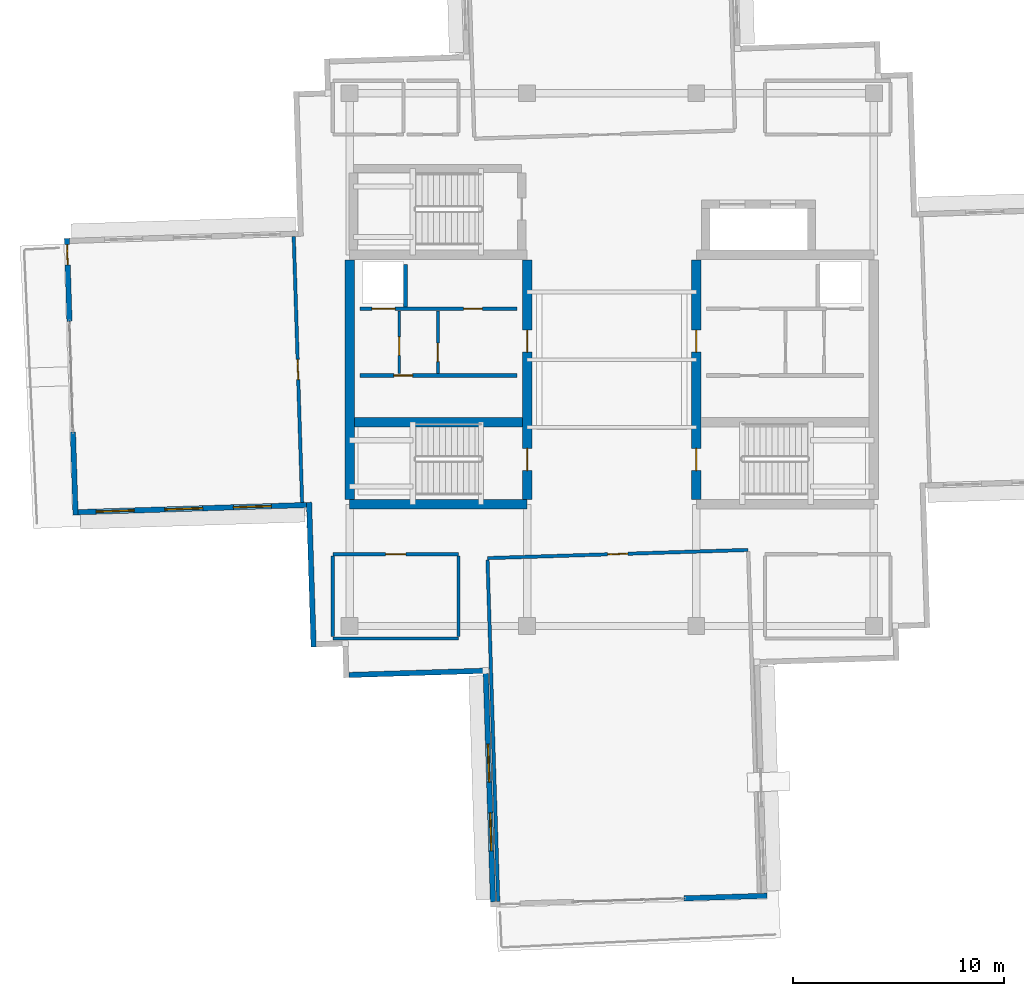
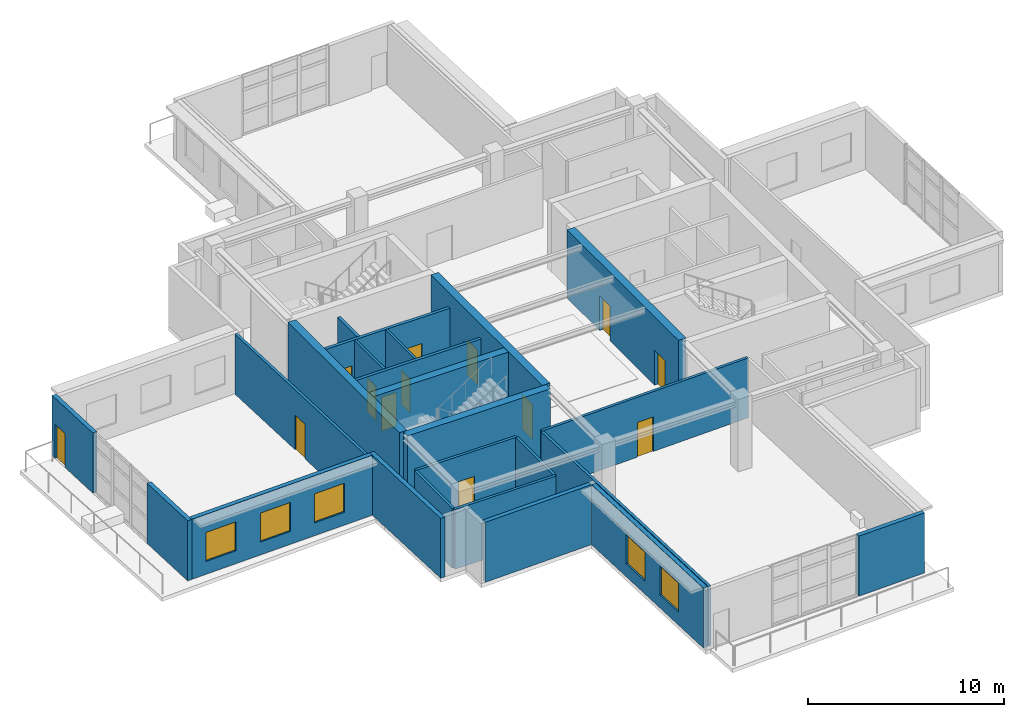
# One storey, part 10 of 18: 24 walls, 13 doors, 5 windows, 18 openings.
"""IFC4 building model written with IfcOpenShell, lengths in metres."""

from ifc_helpers import new_model, si_unit, direction, frame, frame_2d, origin, place, context, subcontext, project, spatial, rectangle, extrude, material, layer, layer_set, type_object, element, fill, save


model = new_model("IFC4")

# Units and contexts
model_context = context("Model", 3, precision=1e-05, world=origin(), true_north=direction((0.0, 1.0)))
body_context = subcontext(model_context, "Body", "Model", "MODEL_VIEW")
ifc_project = project(units=[si_unit("LENGTHUNIT", "METRE"), si_unit("AREAUNIT", "SQUARE_METRE"), si_unit("VOLUMEUNIT", "CUBIC_METRE"), si_unit("PLANEANGLEUNIT", "RADIAN"), si_unit("MASSUNIT", "GRAM", prefix="KILO")], contexts=[model_context])

# Site, building, storey
site_placement = place(None, origin())
site = spatial("IfcSite", under=ifc_project, at=site_placement, CompositionType="ELEMENT")
building_placement = place(site_placement, origin())
building = spatial("IfcBuilding", under=site, at=building_placement, Name="Qingluan Cross Belvedere", CompositionType="ELEMENT")
storey_placement = place(building_placement, frame((0.0, 0.0, 299.39990234375)))
storey = spatial("IfcBuildingStorey", under=building, at=storey_placement, Name="L74", CompositionType="ELEMENT", Elevation=299.39990234375)

# Walls
ifc_material_1 = material(Name="Concrete C50", Category="concrete")
ifc_layer_1 = layer(ifc_material_1, 0.449951171875, Name="CoreShearWall_450")
ifc_layer_set_1 = layer_set([ifc_layer_1], Name="Concrete C50")
wall_type_1 = type_object("IfcWallType", Name="CoreShearWall_450", PredefinedType="SHEAR", material=ifc_layer_set_1)
wall_1_placement = place(storey_placement, frame((-12.39990234375, -6.85009765625, 0.0), z_axis=(0.0, 0.0, 1.0), x_axis=(1.0, 0.0, 0.0)))
element("IfcWall", 1, at=wall_1_placement, inside=storey, type_object=wall_type_1, Name="Split core W shear wall L74-S", PredefinedType="SHEAR", context=body_context, shape_type="SweptSolid", body=[
    extrude(rectangle(XDim=8.39990234375, YDim=0.449951171875, at=frame_2d((4.199951171875, 0.0))), origin(), (0.0, 0.0, 1.0), 4.25),
])
wall_2_placement = place(storey_placement, frame((-12.39990234375, -6.6201171875, 0.0), z_axis=(0.0, 0.0, 1.0), x_axis=(0.0, 1.0, 0.0)))
element("IfcWall", 2, at=wall_2_placement, inside=storey, type_object=wall_type_1, Name="Split core W shear wall L74-W", PredefinedType="SHEAR", context=body_context, shape_type="SweptSolid", body=[
    extrude(rectangle(XDim=11.340087890625, YDim=0.449951171875, at=frame_2d((5.669921875, 0.0))), origin(), (0.0, 0.0, 1.0), 4.25),
])

# Wall, openings, doors
wall_3_placement = place(storey_placement, frame((-4.0, -6.6201171875, 0.0), z_axis=(0.0, 0.0, 1.0), x_axis=(0.0, 1.0, 0.0)))
wall_3 = element("IfcWall", 3, at=wall_3_placement, inside=storey, type_object=wall_type_1, Name="Split core W shear wall L74-E", PredefinedType="SHEAR", context=body_context, shape_type="SweptSolid", body=[
    extrude(rectangle(XDim=11.340087890625, YDim=0.449951171875, at=frame_2d((5.669921875, 0.0))), origin(), (0.0, 0.0, 1.0), 4.25),
])
opening_1_placement = place(wall_3_placement, frame((1.3701171875, 0.0, 0.0)))
opening_1 = element("IfcOpeningElement", 4, at=opening_1_placement, cuts=wall_3, Name="Opening FD-B11", PredefinedType="OPENING", context=body_context, shape_type="SweptSolid", body=[
    extrude(rectangle(XDim=1.050048828125, YDim=2.14990234375, at=frame_2d((0.52490234375, 1.074951171875))), frame((0.0, 0.23486328125, 0.0), z_axis=(0.0, -1.0, 0.0), x_axis=(1.0, 0.0, 0.0)), (0.0, 0.0, 1.0), 0.469970703125),
])
opening_2_placement = place(wall_3_placement, frame((6.969970703125, 0.0, 0.0)))
opening_2 = element("IfcOpeningElement", 5, at=opening_2_placement, cuts=wall_3, Name="Opening FD-B11", PredefinedType="OPENING", context=body_context, shape_type="SweptSolid", body=[
    extrude(rectangle(XDim=1.050048828125, YDim=2.14990234375, at=frame_2d((0.52490234375, 1.074951171875))), frame((0.0, 0.23486328125, 0.0), z_axis=(0.0, -1.0, 0.0), x_axis=(1.0, 0.0, 0.0)), (0.0, 0.0, 1.0), 0.469970703125),
])
ifc_material_2 = material(Name="Steel Class B smoke-seal fire door", Category="steel")
door_type_1 = type_object("IfcDoorType", Name="StairLobbyFireDoor_FDB", OperationType="NOTDEFINED", PredefinedType="DOOR", material=ifc_material_2)
door_1_placement = place(opening_1_placement, origin())
door_1 = element("IfcDoor", 6, at=door_1_placement, inside=storey, type_object=door_type_1, Name="Smoke-proof stair ST1 fire door L74", OperationType="SINGLE_SWING_RIGHT", OverallHeight=2.14990234375, OverallWidth=1.050048828125, PredefinedType="DOOR", context=body_context, shape_type="SweptSolid", body=[
    extrude(rectangle(XDim=1.050048828125, YDim=2.14990234375, at=frame_2d((0.52490234375, 1.074951171875))), frame((0.0, 0.02490234375, 0.0), z_axis=(0.0, -1.0, 0.0), x_axis=(1.0, 0.0, 0.0)), (0.0, 0.0, 1.0), 0.050048828125),
])
fill(opening_1, door_1)
door_2_placement = place(opening_2_placement, origin())
door_2 = element("IfcDoor", 7, at=door_2_placement, inside=storey, type_object=door_type_1, Name="Firefighting lobby West fire door L74", OperationType="SINGLE_SWING_RIGHT", OverallHeight=2.14990234375, OverallWidth=1.050048828125, PredefinedType="DOOR", context=body_context, shape_type="SweptSolid", body=[
    extrude(rectangle(XDim=1.050048828125, YDim=2.14990234375, at=frame_2d((0.52490234375, 1.074951171875))), frame((0.0, 0.02490234375, 0.0), z_axis=(0.0, -1.0, 0.0), x_axis=(1.0, 0.0, 0.0)), (0.0, 0.0, 1.0), 0.050048828125),
])
fill(opening_2, door_2)

# Wall
wall_4_placement = place(storey_placement, frame((-12.169921875, -2.9599609375, 0.0), z_axis=(0.0, 0.0, 1.0), x_axis=(1.0, 0.0, 0.0)))
element("IfcWall", 8, at=wall_4_placement, inside=storey, type_object=wall_type_1, Name="Split core W shear wall L74-M", PredefinedType="SHEAR", context=body_context, shape_type="SweptSolid", body=[
    extrude(rectangle(XDim=7.93994140625, YDim=0.449951171875, at=frame_2d((3.969970703125, 0.0))), origin(), (0.0, 0.0, 1.0), 4.25),
])

# Wall, openings, doors
wall_5_placement = place(storey_placement, frame((4.0, -6.6201171875, 0.0), z_axis=(0.0, 0.0, 1.0), x_axis=(0.0, 1.0, 0.0)))
wall_5 = element("IfcWall", 9, at=wall_5_placement, inside=storey, type_object=wall_type_1, Name="Split core E shear wall L74-W", PredefinedType="SHEAR", context=body_context, shape_type="SweptSolid", body=[
    extrude(rectangle(XDim=11.340087890625, YDim=0.449951171875, at=frame_2d((5.669921875, 0.0))), origin(), (0.0, 0.0, 1.0), 4.25),
])
opening_3_placement = place(wall_5_placement, frame((1.3701171875, 0.0, 0.0)))
opening_3 = element("IfcOpeningElement", 10, at=opening_3_placement, cuts=wall_5, Name="Opening FD-B11", PredefinedType="OPENING", context=body_context, shape_type="SweptSolid", body=[
    extrude(rectangle(XDim=1.050048828125, YDim=2.14990234375, at=frame_2d((0.52490234375, 1.074951171875))), frame((0.0, 0.23486328125, 0.0), z_axis=(0.0, -1.0, 0.0), x_axis=(1.0, 0.0, 0.0)), (0.0, 0.0, 1.0), 0.469970703125),
])
opening_4_placement = place(wall_5_placement, frame((6.969970703125, 0.0, 0.0)))
opening_4 = element("IfcOpeningElement", 11, at=opening_4_placement, cuts=wall_5, Name="Opening FD-B11", PredefinedType="OPENING", context=body_context, shape_type="SweptSolid", body=[
    extrude(rectangle(XDim=1.050048828125, YDim=2.14990234375, at=frame_2d((0.52490234375, 1.074951171875))), frame((0.0, 0.23486328125, 0.0), z_axis=(0.0, -1.0, 0.0), x_axis=(1.0, 0.0, 0.0)), (0.0, 0.0, 1.0), 0.469970703125),
])
door_3_placement = place(opening_3_placement, origin())
door_3 = element("IfcDoor", 12, at=door_3_placement, inside=storey, type_object=door_type_1, Name="Smoke-proof stair ST2 fire door L74", OperationType="SINGLE_SWING_LEFT", OverallHeight=2.14990234375, OverallWidth=1.050048828125, PredefinedType="DOOR", context=body_context, shape_type="SweptSolid", body=[
    extrude(rectangle(XDim=1.050048828125, YDim=2.14990234375, at=frame_2d((0.52490234375, 1.074951171875))), frame((0.0, 0.02490234375, 0.0), z_axis=(0.0, -1.0, 0.0), x_axis=(1.0, 0.0, 0.0)), (0.0, 0.0, 1.0), 0.050048828125),
])
fill(opening_3, door_3)
door_4_placement = place(opening_4_placement, origin())
door_4 = element("IfcDoor", 13, at=door_4_placement, inside=storey, type_object=door_type_1, Name="Firefighting lobby East fire door L74", OperationType="SINGLE_SWING_LEFT", OverallHeight=2.14990234375, OverallWidth=1.050048828125, PredefinedType="DOOR", context=body_context, shape_type="SweptSolid", body=[
    extrude(rectangle(XDim=1.050048828125, YDim=2.14990234375, at=frame_2d((0.52490234375, 1.074951171875))), frame((0.0, 0.02490234375, 0.0), z_axis=(0.0, -1.0, 0.0), x_axis=(1.0, 0.0, 0.0)), (0.0, 0.0, 1.0), 0.050048828125),
])
fill(opening_4, door_4)

# Wall, opening, door
ifc_material_3 = material(Name="Gypsum plasterboard on steel stud acoustic partition", Category="steel")
ifc_layer_2 = layer(ifc_material_3, 0.159912109375, Name="CorridorPartition_160")
ifc_layer_set_2 = layer_set([ifc_layer_2], Name="Gypsum plasterboard on steel stud acoustic partition")
wall_type_2 = type_object("IfcWallType", Name="CorridorPartition_160", PredefinedType="PARTITIONING", material=ifc_layer_set_2)
wall_6_placement = place(storey_placement, frame((-10.050048828125, -0.652099609375, 0.0), z_axis=(0.0, 0.0, 1.0), x_axis=(0.0, 1.0, 0.0)))
wall_6 = element("IfcWall", 14, at=wall_6_placement, inside=storey, type_object=wall_type_2, Name="Partition L74:wv", PredefinedType="PARTITIONING", context=body_context, shape_type="SweptSolid", body=[
    extrude(rectangle(XDim=2.962158203125, YDim=0.139892578125, at=frame_2d((1.48095703125, 0.0))), origin(), (0.0, 0.0, 1.0), 3.72021484375),
])
opening_5_placement = place(wall_6_placement, frame((0.85009765625, 0.0, 0.0)))
opening_5 = element("IfcOpeningElement", 15, at=opening_5_placement, cuts=wall_6, Name="Opening FD-B10", PredefinedType="OPENING", context=body_context, shape_type="SweptSolid", body=[
    extrude(rectangle(XDim=0.8798828125, YDim=2.10009765625, at=frame_2d((0.43994140625, 1.050048828125))), frame((0.0, 0.079833984375, 0.0), z_axis=(0.0, -1.0, 0.0), x_axis=(1.0, 0.0, 0.0)), (0.0, 0.0, 1.0), 0.159912109375),
])
ifc_material_4 = material(Name="Steel Class B service fire door", Category="steel")
door_type_2 = type_object("IfcDoorType", Name="RiserServiceFireDoor_FDB", OperationType="NOTDEFINED", PredefinedType="DOOR", material=ifc_material_4)
door_5_placement = place(opening_5_placement, origin())
door_5 = element("IfcDoor", 16, at=door_5_placement, inside=storey, type_object=door_type_2, Name="Service closet inner door L74", OperationType="SINGLE_SWING_LEFT", OverallHeight=2.10009765625, OverallWidth=0.8798828125, PredefinedType="DOOR", context=body_context, shape_type="SweptSolid", body=[
    extrude(rectangle(XDim=0.8798828125, YDim=2.10009765625, at=frame_2d((0.43994140625, 1.050048828125))), frame((0.0, 0.02490234375, 0.0), z_axis=(0.0, -1.0, 0.0), x_axis=(1.0, 0.0, 0.0)), (0.0, 0.0, 1.0), 0.050048828125),
])
fill(opening_5, door_5)

wall_7_placement = place(storey_placement, frame((-5.8779296875, -9.389404296875, 0.0), z_axis=(0.0, 0.0, 1.0), x_axis=(0.999506326497, 0.031418200013, 0.0)))
wall_7 = element("IfcWall", 17, at=wall_7_placement, inside=storey, type_object=wall_type_2, Name="Partition L74:sky_bar_s:N", PredefinedType="PARTITIONING", context=body_context, shape_type="SweptSolid", body=[
    extrude(rectangle(XDim=12.33984375, YDim=0.159912109375, at=frame_2d((6.169921875, 0.0))), origin(), (0.0, 0.0, 1.0), 3.72021484375),
])
opening_6_placement = place(wall_7_placement, frame((5.68994140625, 0.0, 0.0)))
opening_6 = element("IfcOpeningElement", 18, at=opening_6_placement, cuts=wall_7, Name="Opening GD-10", PredefinedType="OPENING", context=body_context, shape_type="SweptSolid", body=[
    extrude(rectangle(XDim=0.9599609375, YDim=2.14990234375, at=frame_2d((0.47998046875, 1.074951171875))), frame((0.0, 0.08984375, 0.0), z_axis=(0.0, -1.0, 0.0), x_axis=(1.0, 0.0, 0.0)), (0.0, 0.0, 1.0), 0.179931640625),
])
ifc_material_5 = material(Name="Timber oak fire-rated acoustic guestroom door", Category="wood")
door_type_3 = type_object("IfcDoorType", Name="GuestEntryDoor_FD60", OperationType="NOTDEFINED", PredefinedType="DOOR", material=ifc_material_5)
door_6_placement = place(opening_6_placement, origin())
door_6 = element("IfcDoor", 19, at=door_6_placement, inside=storey, type_object=door_type_3, Name="Belvedere south cocktail hall L74 door", OperationType="SINGLE_SWING_RIGHT", OverallHeight=2.14990234375, OverallWidth=0.9599609375, PredefinedType="DOOR", context=body_context, shape_type="SweptSolid", body=[
    extrude(rectangle(XDim=0.9599609375, YDim=2.14990234375, at=frame_2d((0.47998046875, 1.074951171875))), frame((0.0, 0.02490234375, 0.0), z_axis=(0.0, -1.0, 0.0), x_axis=(1.0, 0.0, 0.0)), (0.0, 0.0, 1.0), 0.050048828125),
])
fill(opening_6, door_6)

# Wall
wall_8_placement = place(storey_placement, frame((-5.36767578125, -25.62841796875, 0.0), z_axis=(0.0, 0.0, 1.0), x_axis=(-0.031404524035, 0.99950675629, 0.0)))
element("IfcWall", 20, at=wall_8_placement, inside=storey, type_object=wall_type_2, Name="Partition L74:sky_bar_s:W", PredefinedType="PARTITIONING", context=body_context, shape_type="SweptSolid", body=[
    extrude(rectangle(XDim=16.162353515625, YDim=0.159912109375, at=frame_2d((8.0810546875, 0.0))), origin(), (0.0, 0.0, 1.0), 3.72021484375),
])

# Wall, opening, door
wall_9_placement = place(storey_placement, frame((-14.645263671875, -6.750244140625, 0.0), z_axis=(0.0, 0.0, 1.0), x_axis=(-0.031415998373, 0.999506395701, 0.0)))
wall_9 = element("IfcWall", 21, at=wall_9_placement, inside=storey, type_object=wall_type_2, Name="Partition L74:bar_pantry:E", PredefinedType="PARTITIONING", context=body_context, shape_type="SweptSolid", body=[
    extrude(rectangle(XDim=12.57373046875, YDim=0.159912109375, at=frame_2d((6.286865234375, 0.0))), origin(), (0.0, 0.0, 1.0), 3.72021484375),
])
opening_7_placement = place(wall_9_placement, frame((5.806884765625, 0.0, 0.0)))
opening_7 = element("IfcOpeningElement", 22, at=opening_7_placement, cuts=wall_9, Name="Opening GD-10", PredefinedType="OPENING", context=body_context, shape_type="SweptSolid", body=[
    extrude(rectangle(XDim=0.9599609375, YDim=2.14990234375, at=frame_2d((0.47998046875, 1.074951171875))), frame((0.0, 0.08984375, 0.0), z_axis=(0.0, -1.0, 0.0), x_axis=(1.0, 0.0, 0.0)), (0.0, 0.0, 1.0), 0.179931640625),
])
door_7_placement = place(opening_7_placement, origin())
door_7 = element("IfcDoor", 23, at=door_7_placement, inside=storey, type_object=door_type_3, Name="Crown catering kitchen L74 door", OperationType="SINGLE_SWING_RIGHT", OverallHeight=2.14990234375, OverallWidth=0.9599609375, PredefinedType="DOOR", context=body_context, shape_type="SweptSolid", body=[
    extrude(rectangle(XDim=0.9599609375, YDim=2.14990234375, at=frame_2d((0.47998046875, 1.074951171875))), frame((0.0, 0.02490234375, 0.0), z_axis=(0.0, -1.0, 0.0), x_axis=(1.0, 0.0, 0.0)), (0.0, 0.0, 1.0), 0.050048828125),
])
fill(opening_7, door_7)

# Wall
wall_10_placement = place(storey_placement, frame((-13.18994140625, -13.18994140625, 0.0), z_axis=(0.0, 0.0, 1.0), x_axis=(1.0, 0.0, 0.0)))
element("IfcWall", 24, at=wall_10_placement, inside=storey, type_object=wall_type_2, Name="Partition L74:crown_sw:S", PredefinedType="PARTITIONING", context=body_context, shape_type="SweptSolid", body=[
    extrude(rectangle(XDim=5.93994140625, YDim=0.159912109375, at=frame_2d((2.969970703125, 0.0))), origin(), (0.0, 0.0, 1.0), 3.72021484375),
])

# Wall, opening, door
wall_11_placement = place(storey_placement, frame((-13.18994140625, -9.199951171875, 0.0), z_axis=(0.0, 0.0, 1.0), x_axis=(1.0, 0.0, 0.0)))
wall_11 = element("IfcWall", 25, at=wall_11_placement, inside=storey, type_object=wall_type_2, Name="Partition L74:crown_sw:N", PredefinedType="PARTITIONING", context=body_context, shape_type="SweptSolid", body=[
    extrude(rectangle(XDim=5.93994140625, YDim=0.159912109375, at=frame_2d((2.969970703125, 0.0))), origin(), (0.0, 0.0, 1.0), 3.72021484375),
])
opening_8_placement = place(wall_11_placement, frame((2.489990234375, 0.0, 0.0)))
opening_8 = element("IfcOpeningElement", 26, at=opening_8_placement, cuts=wall_11, Name="Opening GD-10", PredefinedType="OPENING", context=body_context, shape_type="SweptSolid", body=[
    extrude(rectangle(XDim=0.9599609375, YDim=2.14990234375, at=frame_2d((0.47998046875, 1.074951171875))), frame((0.0, 0.08984375, 0.0), z_axis=(0.0, -1.0, 0.0), x_axis=(1.0, 0.0, 0.0)), (0.0, 0.0, 1.0), 0.179931640625),
])
door_8_placement = place(opening_8_placement, origin())
door_8 = element("IfcDoor", 27, at=door_8_placement, inside=storey, type_object=door_type_3, Name="Panorama reading salon L74 door", OperationType="SINGLE_SWING_RIGHT", OverallHeight=2.14990234375, OverallWidth=0.9599609375, PredefinedType="DOOR", context=body_context, shape_type="SweptSolid", body=[
    extrude(rectangle(XDim=0.9599609375, YDim=2.14990234375, at=frame_2d((0.47998046875, 1.074951171875))), frame((0.0, 0.02490234375, 0.0), z_axis=(0.0, -1.0, 0.0), x_axis=(1.0, 0.0, 0.0)), (0.0, 0.0, 1.0), 0.050048828125),
])
fill(opening_8, door_8)

# Walls
for number, where, z_axis, x_axis, name in (
    (28, (-13.18994140625, -13.10498046875, 0.0), (0.0, 0.0, 1.0), (0.0, 1.0, 0.0), "Partition L74:crown_sw:W"),
    (29, (-7.25, -13.10498046875, 0.0), (0.0, 0.0, 1.0), (0.0, 1.0, 0.0), "Partition L74:crown_sw:E"),
):
    element("IfcWall", number, at=place(storey_placement, frame(where, z_axis=z_axis, x_axis=x_axis)), inside=storey, type_object=wall_type_2, Name=name, PredefinedType="PARTITIONING", context=body_context, shape_type="SweptSolid", body=[
        extrude(rectangle(XDim=3.820068359375, YDim=0.159912109375, at=frame_2d((1.91015625, 0.0))), origin(), (0.0, 0.0, 1.0), 3.72021484375),
    ])

# Wall, openings, windows
ifc_material_6 = material(Name="Precast concrete C45", Category="concrete")
ifc_layer_3 = layer(ifc_material_6, 0.25, Name="PrecastCrownWall_250")
ifc_layer_set_3 = layer_set([ifc_layer_3], Name="Precast concrete C45")
wall_type_3 = type_object("IfcWallType", Name="PrecastCrownWall_250", PredefinedType="STANDARD", material=ifc_layer_set_3)
wall_12_placement = place(storey_placement, frame((-25.24072265625, -7.21630859375, 0.0), z_axis=(0.0, 0.0, 1.0), x_axis=(0.999506419134, 0.031415252825, 0.0)))
wall_12 = element("IfcWall", 30, at=wall_12_placement, inside=storey, type_object=wall_type_3, Name="Facade wall L74-WB", PredefinedType="STANDARD", context=body_context, shape_type="SweptSolid", body=[
    extrude(rectangle(XDim=10.81005859375, YDim=0.25, at=frame_2d((5.405029296875, 0.0))), origin(), (0.0, 0.0, 1.0), 3.72998046875),
])
opening_9_placement = place(wall_12_placement, frame((0.85009765625, 0.0, 0.800048828125)))
opening_9 = element("IfcOpeningElement", 31, at=opening_9_placement, cuts=wall_12, Name="Opening W-05", PredefinedType="OPENING", context=body_context, shape_type="SweptSolid", body=[
    extrude(rectangle(XDim=1.800048828125, YDim=1.800048828125, at=frame_2d((0.89990234375, 0.89990234375))), frame((0.0, 0.135009765625, 0.0), z_axis=(0.0, -1.0, 0.0), x_axis=(1.0, 0.0, 0.0)), (0.0, 0.0, 1.0), 0.27001953125),
])
opening_10_placement = place(wall_12_placement, frame((4.10009765625, 0.0, 0.800048828125)))
opening_10 = element("IfcOpeningElement", 32, at=opening_10_placement, cuts=wall_12, Name="Opening W-05", PredefinedType="OPENING", context=body_context, shape_type="SweptSolid", body=[
    extrude(rectangle(XDim=1.800048828125, YDim=1.800048828125, at=frame_2d((0.89990234375, 0.89990234375))), frame((0.0, 0.135009765625, 0.0), z_axis=(0.0, -1.0, 0.0), x_axis=(1.0, 0.0, 0.0)), (0.0, 0.0, 1.0), 0.27001953125),
])
opening_11_placement = place(wall_12_placement, frame((7.35009765625, 0.0, 0.800048828125)))
opening_11 = element("IfcOpeningElement", 33, at=opening_11_placement, cuts=wall_12, Name="Opening W-05", PredefinedType="OPENING", context=body_context, shape_type="SweptSolid", body=[
    extrude(rectangle(XDim=1.800048828125, YDim=1.800048828125, at=frame_2d((0.89990234375, 0.89990234375))), frame((0.0, 0.135009765625, 0.0), z_axis=(0.0, -1.0, 0.0), x_axis=(1.0, 0.0, 0.0)), (0.0, 0.0, 1.0), 0.27001953125),
])
ifc_material_7 = material(Name="Thermally broken triple Low-E glass in aluminium frame", Category="aluminium")
window_type = type_object("IfcWindowType", Name="CrownBelvedereWin_1800x1800", PartitioningType="SINGLE_PANEL", PredefinedType="WINDOW", material=ifc_material_7)
window_1_placement = place(opening_9_placement, origin())
window_1 = element("IfcWindow", 34, at=window_1_placement, inside=storey, type_object=window_type, Name="Ribbon window L74-WB-1", OverallHeight=1.800048828125, OverallWidth=1.800048828125, PartitioningType="SINGLE_PANEL", PredefinedType="WINDOW", context=body_context, shape_type="SweptSolid", body=[
    extrude(rectangle(XDim=1.800048828125, YDim=1.800048828125, at=frame_2d((0.89990234375, 0.89990234375))), frame((0.0, 0.030029296875, 0.0), z_axis=(0.0, -1.0, 0.0), x_axis=(1.0, 0.0, 0.0)), (0.0, 0.0, 1.0), 0.06005859375),
])
fill(opening_9, window_1)
window_2_placement = place(opening_10_placement, origin())
window_2 = element("IfcWindow", 35, at=window_2_placement, inside=storey, type_object=window_type, Name="Ribbon window L74-WB-2", OverallHeight=1.800048828125, OverallWidth=1.800048828125, PartitioningType="SINGLE_PANEL", PredefinedType="WINDOW", context=body_context, shape_type="SweptSolid", body=[
    extrude(rectangle(XDim=1.800048828125, YDim=1.800048828125, at=frame_2d((0.89990234375, 0.89990234375))), frame((0.0, 0.030029296875, 0.0), z_axis=(0.0, -1.0, 0.0), x_axis=(1.0, 0.0, 0.0)), (0.0, 0.0, 1.0), 0.06005859375),
])
fill(opening_10, window_2)
window_3_placement = place(opening_11_placement, origin())
window_3 = element("IfcWindow", 36, at=window_3_placement, inside=storey, type_object=window_type, Name="Ribbon window L74-WB-3", OverallHeight=1.800048828125, OverallWidth=1.800048828125, PartitioningType="SINGLE_PANEL", PredefinedType="WINDOW", context=body_context, shape_type="SweptSolid", body=[
    extrude(rectangle(XDim=1.800048828125, YDim=1.800048828125, at=frame_2d((0.89990234375, 0.89990234375))), frame((0.0, 0.030029296875, 0.0), z_axis=(0.0, -1.0, 0.0), x_axis=(1.0, 0.0, 0.0)), (0.0, 0.0, 1.0), 0.06005859375),
])
fill(opening_11, window_3)

# Wall, opening, door
wall_13_placement = place(storey_placement, frame((-25.77294921875, 5.73828125, 0.0), z_axis=(0.0, 0.0, 1.0), x_axis=(0.031395848079, -0.999507028851, 0.0)))
wall_13 = element("IfcWall", 37, at=wall_13_placement, inside=storey, type_object=wall_type_3, Name="Terrace portal jamb wall L74-W1", PredefinedType="STANDARD", context=body_context, shape_type="SweptSolid", body=[
    extrude(rectangle(XDim=3.927001953125, YDim=0.25, at=frame_2d((1.96337890625, 0.0))), origin(), (0.0, 0.0, 1.0), 3.72998046875),
])
opening_12_placement = place(wall_13_placement, frame((0.300048828125, 0.0, 0.0)))
opening_12 = element("IfcOpeningElement", 38, at=opening_12_placement, cuts=wall_13, Name="Opening TD-10", PredefinedType="OPENING", context=body_context, shape_type="SweptSolid", body=[
    extrude(rectangle(XDim=0.9599609375, YDim=2.10009765625, at=frame_2d((0.47998046875, 1.050048828125))), frame((0.0, 0.135009765625, 0.0), z_axis=(0.0, -1.0, 0.0), x_axis=(1.0, 0.0, 0.0)), (0.0, 0.0, 1.0), 0.27001953125),
])
ifc_material_8 = material(Name="Thermally broken aluminium and Low-E glass", Category="aluminium")
door_type_4 = type_object("IfcDoorType", Name="SetbackTerraceDoor_096", OperationType="NOTDEFINED", PredefinedType="DOOR", material=ifc_material_8)
door_9_placement = place(opening_12_placement, origin())
door_9 = element("IfcDoor", 39, at=door_9_placement, inside=storey, type_object=door_type_4, Name="Outdoor terrace access door L74-set2", OperationType="SINGLE_SWING_LEFT", OverallHeight=2.10009765625, OverallWidth=0.9599609375, PredefinedType="DOOR", context=body_context, shape_type="SweptSolid", body=[
    extrude(rectangle(XDim=0.9599609375, YDim=2.10009765625, at=frame_2d((0.47998046875, 1.050048828125))), frame((0.0, 0.02490234375, 0.0), z_axis=(0.0, -1.0, 0.0), x_axis=(1.0, 0.0, 0.0)), (0.0, 0.0, 1.0), 0.050048828125),
])
fill(opening_12, door_9)

# Wall
wall_14_placement = place(storey_placement, frame((-25.485107421875, -3.420166015625, 0.0), z_axis=(0.0, 0.0, 1.0), x_axis=(0.031395848079, -0.999507028851, 0.0)))
element("IfcWall", 40, at=wall_14_placement, inside=storey, type_object=wall_type_3, Name="Terrace portal jamb wall L74-W2", PredefinedType="STANDARD", context=body_context, shape_type="SweptSolid", body=[
    extrude(rectangle(XDim=3.927001953125, YDim=0.25, at=frame_2d((1.96337890625, 0.0))), origin(), (0.0, 0.0, 1.0), 3.72998046875),
])

# Wall, openings, windows
wall_15_placement = place(storey_placement, frame((-5.956787109375, -14.83935546875, 0.0), z_axis=(0.0, 0.0, 1.0), x_axis=(0.031415252825, -0.999506419134, 0.0)))
wall_15 = element("IfcWall", 41, at=wall_15_placement, inside=storey, type_object=wall_type_3, Name="Facade wall L74-SA", PredefinedType="STANDARD", context=body_context, shape_type="SweptSolid", body=[
    extrude(rectangle(XDim=10.81005859375, YDim=0.25, at=frame_2d((5.405029296875, 0.0))), origin(), (0.0, 0.0, 1.0), 3.72998046875),
])
opening_13_placement = place(wall_15_placement, frame((3.35009765625, 0.0, 0.800048828125)))
opening_13 = element("IfcOpeningElement", 42, at=opening_13_placement, cuts=wall_15, Name="Opening W-05", PredefinedType="OPENING", context=body_context, shape_type="SweptSolid", body=[
    extrude(rectangle(XDim=1.800048828125, YDim=1.800048828125, at=frame_2d((0.89990234375, 0.89990234375))), frame((0.0, 0.135009765625, 0.0), z_axis=(0.0, -1.0, 0.0), x_axis=(1.0, 0.0, 0.0)), (0.0, 0.0, 1.0), 0.27001953125),
])
opening_14_placement = place(wall_15_placement, frame((6.60009765625, 0.0, 0.800048828125)))
opening_14 = element("IfcOpeningElement", 43, at=opening_14_placement, cuts=wall_15, Name="Opening W-05", PredefinedType="OPENING", context=body_context, shape_type="SweptSolid", body=[
    extrude(rectangle(XDim=1.800048828125, YDim=1.800048828125, at=frame_2d((0.89990234375, 0.89990234375))), frame((0.0, 0.135009765625, 0.0), z_axis=(0.0, -1.0, 0.0), x_axis=(1.0, 0.0, 0.0)), (0.0, 0.0, 1.0), 0.27001953125),
])
window_4_placement = place(opening_13_placement, origin())
window_4 = element("IfcWindow", 44, at=window_4_placement, inside=storey, type_object=window_type, Name="Ribbon window L74-SA-1", OverallHeight=1.800048828125, OverallWidth=1.800048828125, PartitioningType="SINGLE_PANEL", PredefinedType="WINDOW", context=body_context, shape_type="SweptSolid", body=[
    extrude(rectangle(XDim=1.800048828125, YDim=1.800048828125, at=frame_2d((0.89990234375, 0.89990234375))), frame((0.0, 0.030029296875, 0.0), z_axis=(0.0, -1.0, 0.0), x_axis=(1.0, 0.0, 0.0)), (0.0, 0.0, 1.0), 0.06005859375),
])
fill(opening_13, window_4)
window_5_placement = place(opening_14_placement, origin())
window_5 = element("IfcWindow", 45, at=window_5_placement, inside=storey, type_object=window_type, Name="Ribbon window L74-SA-2", OverallHeight=1.800048828125, OverallWidth=1.800048828125, PartitioningType="SINGLE_PANEL", PredefinedType="WINDOW", context=body_context, shape_type="SweptSolid", body=[
    extrude(rectangle(XDim=1.800048828125, YDim=1.800048828125, at=frame_2d((0.89990234375, 0.89990234375))), frame((0.0, 0.030029296875, 0.0), z_axis=(0.0, -1.0, 0.0), x_axis=(1.0, 0.0, 0.0)), (0.0, 0.0, 1.0), 0.06005859375),
])
fill(opening_14, window_5)

# Walls
wall_16_placement = place(storey_placement, frame((3.420166015625, -25.485107421875, 0.0), z_axis=(0.0, 0.0, 1.0), x_axis=(0.999507028851, 0.031395848079, 0.0)))
element("IfcWall", 46, at=wall_16_placement, inside=storey, type_object=wall_type_3, Name="Terrace portal jamb wall L74-S2", PredefinedType="STANDARD", context=body_context, shape_type="SweptSolid", body=[
    extrude(rectangle(XDim=3.927001953125, YDim=0.25, at=frame_2d((1.96337890625, 0.0))), origin(), (0.0, 0.0, 1.0), 3.72998046875),
])
wall_17_placement = place(storey_placement, frame((-14.315185546875, -6.748046875, 0.0), z_axis=(0.0, 0.0, 1.0), x_axis=(0.03143615455, -0.999505761958, 0.0)))
element("IfcWall", 47, at=wall_17_placement, inside=storey, type_object=wall_type_3, Name="Corner wall L74-SW1", PredefinedType="STANDARD", context=body_context, shape_type="SweptSolid", body=[
    extrude(rectangle(XDim=6.849853515625, YDim=0.25, at=frame_2d((3.4248046875, 0.0))), origin(), (0.0, 0.0, 1.0), 3.72998046875),
])
wall_18_placement = place(storey_placement, frame((-12.4326171875, -14.91796875, 0.0), z_axis=(0.0, 0.0, 1.0), x_axis=(0.999506546651, 0.031411195469, 0.0)))
element("IfcWall", 48, at=wall_18_placement, inside=storey, type_object=wall_type_3, Name="Corner wall L74-SW4", PredefinedType="STANDARD", context=body_context, shape_type="SweptSolid", body=[
    extrude(rectangle(XDim=6.35009765625, YDim=0.25, at=frame_2d((3.175048828125, 0.0))), origin(), (0.0, 0.0, 1.0), 3.72998046875),
])

# Wall, openings, doors
ifc_material_9 = material(Name="Concrete C40", Category="concrete")
ifc_layer_4 = layer(ifc_material_9, 0.219970703125, Name="ShaftEnclosureWall_250")
ifc_layer_set_4 = layer_set([ifc_layer_4], Name="Concrete C40")
wall_type_4 = type_object("IfcWallType", Name="ShaftEnclosureWall_250", PredefinedType="SOLIDWALL", material=ifc_layer_set_4)
wall_19_placement = place(storey_placement, frame((-11.89990234375, 2.409912109375, 0.0), z_axis=(0.0, 0.0, 1.0), x_axis=(1.0, 0.0, 0.0)))
wall_19 = element("IfcWall", 49, at=wall_19_placement, inside=storey, type_object=wall_type_4, Name="Core-W north hoistway wall L74", PredefinedType="SOLIDWALL", context=body_context, shape_type="SweptSolid", body=[
    extrude(rectangle(XDim=7.419921875, YDim=0.179931640625, at=frame_2d((3.7099609375, 0.0))), origin(), (0.0, 0.0, 1.0), 3.72021484375),
])
opening_15_placement = place(wall_19_placement, frame((0.550048828125, 0.0, 0.0)))
opening_15 = element("IfcOpeningElement", 50, at=opening_15_placement, cuts=wall_19, Name="Opening LD-11", PredefinedType="OPENING", context=body_context, shape_type="SweptSolid", body=[
    extrude(rectangle(XDim=1.10009765625, YDim=2.14990234375, at=frame_2d((0.550048828125, 1.074951171875))), frame((0.0, 0.099853515625, 0.0), z_axis=(0.0, -1.0, 0.0), x_axis=(1.0, 0.0, 0.0)), (0.0, 0.0, 1.0), 0.199951171875),
])
opening_16_placement = place(wall_19_placement, frame((4.89990234375, 0.0, 0.0)))
opening_16 = element("IfcOpeningElement", 51, at=opening_16_placement, cuts=wall_19, Name="Opening FD-B10", PredefinedType="OPENING", context=body_context, shape_type="SweptSolid", body=[
    extrude(rectangle(XDim=0.8798828125, YDim=2.10009765625, at=frame_2d((0.43994140625, 1.050048828125))), frame((0.0, 0.099853515625, 0.0), z_axis=(0.0, -1.0, 0.0), x_axis=(1.0, 0.0, 0.0)), (0.0, 0.0, 1.0), 0.199951171875),
])
ifc_material_10 = material(Name="Brushed stainless steel centre-opening lift landing door", Category="steel")
door_type_5 = type_object("IfcDoorType", Name="LiftLandingSlidingDoor_1100", OperationType="DOUBLE_DOOR_SLIDING", PredefinedType="DOOR", material=ifc_material_10)
door_10_placement = place(opening_15_placement, origin())
door_10 = element("IfcDoor", 52, at=door_10_placement, inside=storey, type_object=door_type_5, Name="Lift landing sliding door FL1 L74", OperationType="DOUBLE_DOOR_SLIDING", OverallHeight=2.14990234375, OverallWidth=1.10009765625, PredefinedType="DOOR", context=body_context, shape_type="SweptSolid", body=[
    extrude(rectangle(XDim=1.10009765625, YDim=2.14990234375, at=frame_2d((0.550048828125, 1.074951171875))), frame((0.0, 0.02490234375, 0.0), z_axis=(0.0, -1.0, 0.0), x_axis=(1.0, 0.0, 0.0)), (0.0, 0.0, 1.0), 0.050048828125),
])
fill(opening_15, door_10)
door_11_placement = place(opening_16_placement, origin())
door_11 = element("IfcDoor", 53, at=door_11_placement, inside=storey, type_object=door_type_2, Name="Housekeeping supply room door W L74", OperationType="SINGLE_SWING_LEFT", OverallHeight=2.10009765625, OverallWidth=0.8798828125, PredefinedType="DOOR", context=body_context, shape_type="SweptSolid", body=[
    extrude(rectangle(XDim=0.8798828125, YDim=2.10009765625, at=frame_2d((0.43994140625, 1.050048828125))), frame((0.0, 0.02490234375, 0.0), z_axis=(0.0, -1.0, 0.0), x_axis=(1.0, 0.0, 0.0)), (0.0, 0.0, 1.0), 0.050048828125),
])
fill(opening_16, door_11)

# Wall, opening, door
wall_20_placement = place(storey_placement, frame((-11.89990234375, -0.75, 0.0), z_axis=(0.0, 0.0, 1.0), x_axis=(1.0, 0.0, 0.0)))
wall_20 = element("IfcWall", 54, at=wall_20_placement, inside=storey, type_object=wall_type_4, Name="Core-W mid hoistway wall L74", PredefinedType="SOLIDWALL", context=body_context, shape_type="SweptSolid", body=[
    extrude(rectangle(XDim=7.419921875, YDim=0.179931640625, at=frame_2d((3.7099609375, 0.0))), origin(), (0.0, 0.0, 1.0), 3.72021484375),
])
opening_17_placement = place(wall_20_placement, frame((1.60009765625, 0.0, 0.0)))
opening_17 = element("IfcOpeningElement", 55, at=opening_17_placement, cuts=wall_20, Name="Opening FD-B10", PredefinedType="OPENING", context=body_context, shape_type="SweptSolid", body=[
    extrude(rectangle(XDim=0.8798828125, YDim=2.10009765625, at=frame_2d((0.43994140625, 1.050048828125))), frame((0.0, 0.099853515625, 0.0), z_axis=(0.0, -1.0, 0.0), x_axis=(1.0, 0.0, 0.0)), (0.0, 0.0, 1.0), 0.199951171875),
])
door_12_placement = place(opening_17_placement, origin())
door_12 = element("IfcDoor", 56, at=door_12_placement, inside=storey, type_object=door_type_2, Name="Upper-zone electrical room door L74", OperationType="SINGLE_SWING_LEFT", OverallHeight=2.10009765625, OverallWidth=0.8798828125, PredefinedType="DOOR", context=body_context, shape_type="SweptSolid", body=[
    extrude(rectangle(XDim=0.8798828125, YDim=2.10009765625, at=frame_2d((0.43994140625, 1.050048828125))), frame((0.0, 0.02490234375, 0.0), z_axis=(0.0, -1.0, 0.0), x_axis=(1.0, 0.0, 0.0)), (0.0, 0.0, 1.0), 0.050048828125),
])
fill(opening_17, door_12)

# Wall
wall_21_placement = place(storey_placement, frame((-9.760009765625, 2.5, 0.0), z_axis=(0.0, 0.0, 1.0), x_axis=(0.0, 1.0, 0.0)))
element("IfcWall", 57, at=wall_21_placement, inside=storey, type_object=wall_type_4, Name="Hoistway enclosure divider FL1E L74", PredefinedType="SOLIDWALL", context=body_context, shape_type="SweptSolid", body=[
    extrude(rectangle(XDim=1.989990234375, YDim=0.179931640625, at=frame_2d((0.9951171875, 0.0))), origin(), (0.0, 0.0, 1.0), 3.72021484375),
])

# Wall, opening, door
wall_22_placement = place(storey_placement, frame((-8.219970703125, -0.64990234375, 0.0), z_axis=(0.0, 0.0, 1.0), x_axis=(0.0, 1.0, 0.0)))
wall_22 = element("IfcWall", 58, at=wall_22_placement, inside=storey, type_object=wall_type_4, Name="Core-W service corridor wall L74", PredefinedType="SOLIDWALL", context=body_context, shape_type="SweptSolid", body=[
    extrude(rectangle(XDim=2.9599609375, YDim=0.139892578125, at=frame_2d((1.47998046875, 0.0))), origin(), (0.0, 0.0, 1.0), 3.72021484375),
])
opening_18_placement = place(wall_22_placement, frame((0.550048828125, 0.0, 0.0)))
opening_18 = element("IfcOpeningElement", 59, at=opening_18_placement, cuts=wall_22, Name="Opening FD-B10", PredefinedType="OPENING", context=body_context, shape_type="SweptSolid", body=[
    extrude(rectangle(XDim=0.8798828125, YDim=2.10009765625, at=frame_2d((0.43994140625, 1.050048828125))), frame((0.0, 0.079833984375, 0.0), z_axis=(0.0, -1.0, 0.0), x_axis=(1.0, 0.0, 0.0)), (0.0, 0.0, 1.0), 0.159912109375),
])
door_13_placement = place(opening_18_placement, origin())
door_13 = element("IfcDoor", 60, at=door_13_placement, inside=storey, type_object=door_type_2, Name="Core-W service room door L74", OperationType="SINGLE_SWING_LEFT", OverallHeight=2.10009765625, OverallWidth=0.8798828125, PredefinedType="DOOR", context=body_context, shape_type="SweptSolid", body=[
    extrude(rectangle(XDim=0.8798828125, YDim=2.10009765625, at=frame_2d((0.43994140625, 1.050048828125))), frame((0.0, 0.02490234375, 0.0), z_axis=(0.0, -1.0, 0.0), x_axis=(1.0, 0.0, 0.0)), (0.0, 0.0, 1.0), 0.050048828125),
])
fill(opening_18, door_13)

save(model, "model.ifc")
